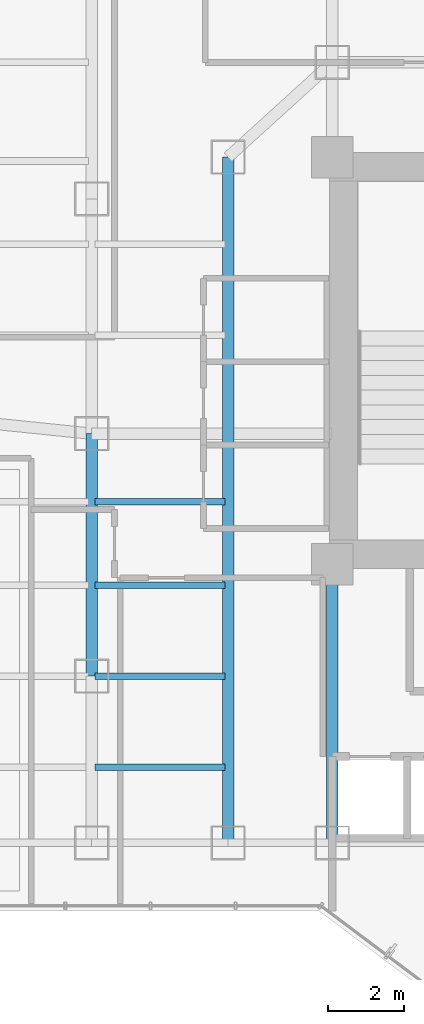
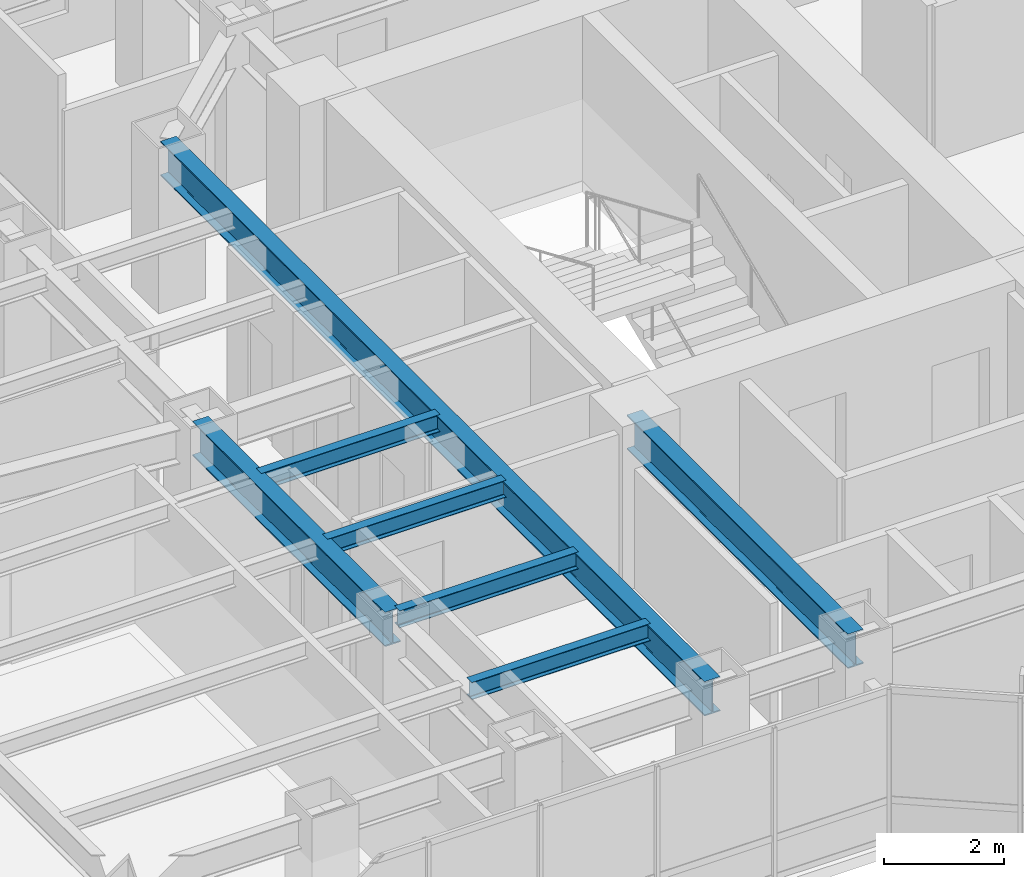
# One storey, part 8 of 36: 7 beams.
"""IFC4 building model written with IfcOpenShell, lengths in metres."""

from ifc_helpers import new_model, si_unit, direction, frame, origin, origin_2d, place, context, subcontext, project, spatial, i_section, extrude, material, material_profile, profile_set, type_object, element, save


model = new_model("IFC4")

# Units and contexts
model_context = context("Model", 3, precision=1e-05, world=origin(), true_north=direction((0.0, 1.0)))
body_context = subcontext(model_context, "Body", "Model", "MODEL_VIEW")
ifc_project = project(units=[si_unit("LENGTHUNIT", "METRE"), si_unit("AREAUNIT", "SQUARE_METRE"), si_unit("VOLUMEUNIT", "CUBIC_METRE"), si_unit("PLANEANGLEUNIT", "RADIAN"), si_unit("MASSUNIT", "GRAM", prefix="KILO")], contexts=[model_context])

# Site, building, storey
site_placement = place(None, origin())
site = spatial("IfcSite", under=ifc_project, at=site_placement, CompositionType="ELEMENT")
building_placement = place(site_placement, origin())
building = spatial("IfcBuilding", under=site, at=building_placement, Name="Hatsunagi Terrace Concourse", CompositionType="ELEMENT")
storey_placement = place(building_placement, frame((0.0, 0.0, 84.64990234375)))
storey = spatial("IfcBuildingStorey", under=building, at=storey_placement, Name="L22", CompositionType="ELEMENT", Elevation=84.64990234375)

# Beams
ifc_material_1 = material(Name="Steel SN490B", Category="steel")
ifc_material_profile_1 = material_profile(ifc_material_1, i_section(OverallWidth=0.300048828125, OverallDepth=0.699951171875, WebThickness=0.012939453125, FlangeThickness=0.02392578125, FilletRadius=0.02197265625, at=origin_2d()), Name="H-700x300x13x24")
ifc_profile_set_1 = profile_set([ifc_material_profile_1], Name="Steel SN490B")
beam_type_1 = type_object("IfcBeamType", Name="HotelFloorGirder_H_700x300", PredefinedType="BEAM", material=ifc_profile_set_1)
beam_1_placement = place(storey_placement, frame((25.550048828125, 25.199951171875, 2.780029296875), z_axis=(0.0, 1.0, 0.0), x_axis=(-1.0, 0.0, 0.0)))
element("IfcBeam", 1, at=beam_1_placement, inside=storey, type_object=beam_type_1, Name="Beam G-04 BM-L22-K1CA", PredefinedType="BEAM", context=body_context, shape_type="SweptSolid", body=[
    extrude(i_section(OverallWidth=0.300048828125, OverallDepth=0.699951171875, WebThickness=0.012939453125, FlangeThickness=0.02392578125, FilletRadius=0.02197265625, at=origin_2d()), origin(), (0.0, 0.0, 1.0), 7.35009765625),
])
beam_2_placement = place(storey_placement, frame((22.800048828125, 25.199951171875, 2.780029296875), z_axis=(0.0, 1.0, 0.0), x_axis=(-1.0, 0.0, 0.0)))
element("IfcBeam", 2, at=beam_2_placement, inside=storey, type_object=beam_type_1, Name="Beam G-04 BM-L22-CWNS", PredefinedType="BEAM", context=body_context, shape_type="SweptSolid", body=[
    extrude(i_section(OverallWidth=0.300048828125, OverallDepth=0.699951171875, WebThickness=0.012939453125, FlangeThickness=0.02392578125, FilletRadius=0.02197265625, at=origin_2d()), origin(), (0.0, 0.0, 1.0), 18.10009765625),
])
beam_3_placement = place(storey_placement, frame((19.199951171875, 29.60009765625, 2.780029296875), z_axis=(0.0, 1.0, 0.0), x_axis=(-1.0, 0.0, 0.0)))
element("IfcBeam", 3, at=beam_3_placement, inside=storey, type_object=beam_type_1, Name="Beam G-04 BM-L22-NS-19-29", PredefinedType="BEAM", context=body_context, shape_type="SweptSolid", body=[
    extrude(i_section(OverallWidth=0.300048828125, OverallDepth=0.699951171875, WebThickness=0.012939453125, FlangeThickness=0.02392578125, FilletRadius=0.02197265625, at=origin_2d()), origin(), (0.0, 0.0, 1.0), 6.39990234375),
])
ifc_material_2 = material(Name="Steel SN490B", Category="steel")
ifc_material_profile_2 = material_profile(ifc_material_2, i_section(OverallWidth=0.175048828125, OverallDepth=0.35009765625, WebThickness=0.007080078125, FlangeThickness=0.010986328125, FilletRadius=0.012939453125, at=origin_2d()), Name="H-350x175x7x11")
ifc_profile_set_2 = profile_set([ifc_material_profile_2], Name="Steel SN490B")
beam_type_2 = type_object("IfcBeamType", Name="HotelJoist_H_350x175", PredefinedType="JOIST", material=ifc_profile_set_2)
for number, where, z_axis, x_axis, name in (
    (4, (19.284912109375, 27.199951171875, 2.955078125), (1.0, 0.0, 0.0), (0.0, 1.0, 0.0), "Beam J-02 J-L22-W-19-272"),
    (5, (19.284912109375, 29.60009765625, 2.955078125), (1.0, 0.0, 0.0), (0.0, 1.0, 0.0), "Beam J-02 J-L22-W-19-296"),
    (6, (19.284912109375, 32.0, 2.955078125), (1.0, 0.0, 0.0), (0.0, 1.0, 0.0), "Beam J-02 J-L22-W-19-320"),
    (7, (19.284912109375, 34.199951171875, 2.955078125), (1.0, 0.0, 0.0), (0.0, 1.0, 0.0), "Beam J-02 J-L22-W-19-342"),
):
    element("IfcBeam", number, at=place(storey_placement, frame(where, z_axis=z_axis, x_axis=x_axis)), inside=storey, type_object=beam_type_2, Name=name, PredefinedType="JOIST", context=body_context, shape_type="SweptSolid", body=[
        extrude(i_section(OverallWidth=0.175048828125, OverallDepth=0.35009765625, WebThickness=0.007080078125, FlangeThickness=0.010986328125, FilletRadius=0.012939453125, at=origin_2d()), origin(), (0.0, 0.0, 1.0), 3.43017578125),
    ])

save(model, "model.ifc")
